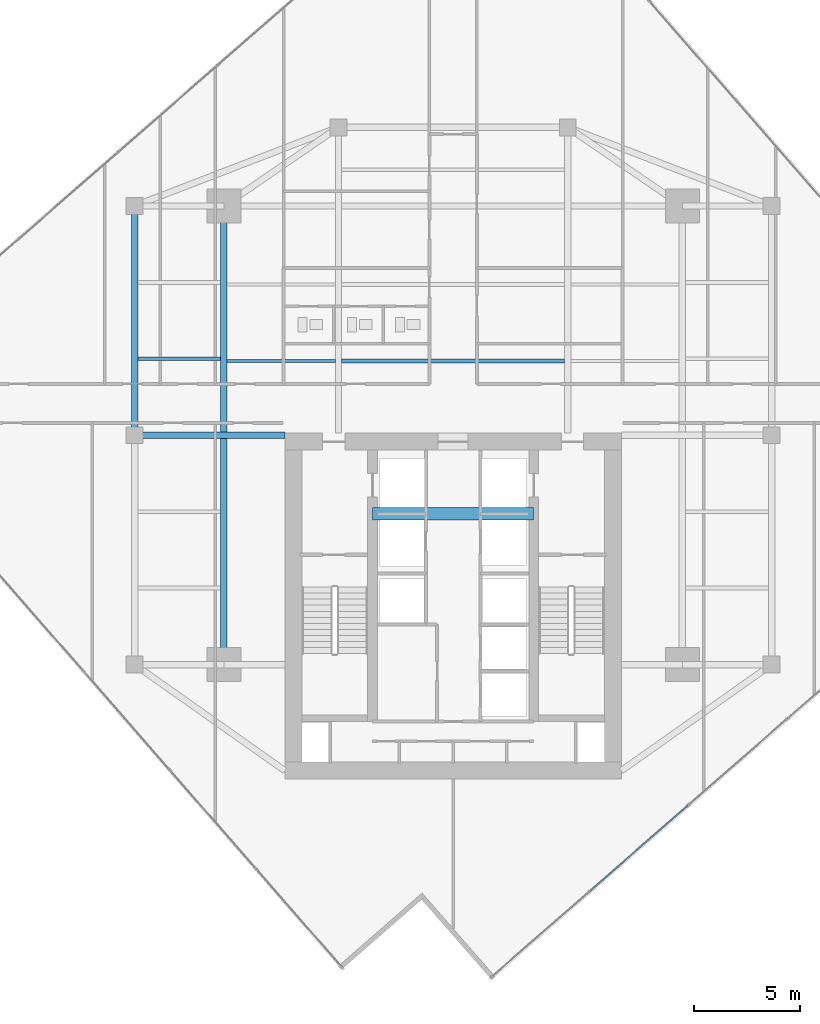
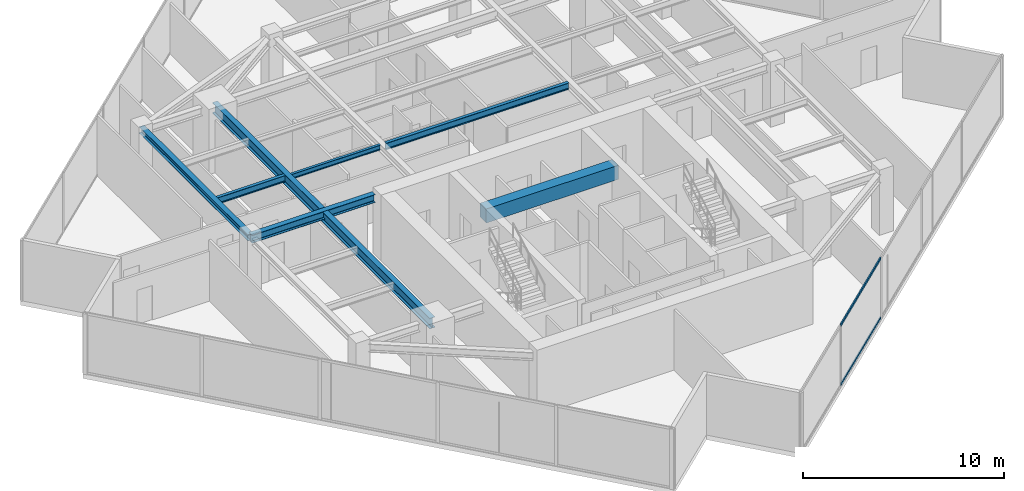
# One storey, part 8 of 24: 7 beams, 2 members, 1 element without a shape of its own.
"""IFC4 building model written with IfcOpenShell, lengths in metres."""

import ifcopenshell
import ifcopenshell.guid

model = None  # the IFC model being written
_history = None  # IfcOwnerHistory: only IFC2X3 demands one
_inside = {}  # id of a spatial element -> (the spatial element, [elements in it])
_under = {}  # id of a project, library or spatial element -> (it, [spatial elements below it])
_declared = {}  # id of a project -> (the project, [libraries it declares])
_typed = {}  # id of a type object -> (the type object, [elements of that type])
_made_of = {}  # id of a material, layer set ... -> (it, [elements and type objects made of it])


def new_model(schema):
    """Start an empty IFC model of exactly this schema.

    Asked for "IFC4X3", IfcOpenShell would pick the latest addendum, in which some entities
    have other attributes; the version numbers below select the first issue.
    IFC2X3 requires an IfcOwnerHistory on every rooted entity: one is made here for all.
    """
    global model, _history
    if schema == "IFC4X3":
        model = ifcopenshell.file(schema_version=(4, 3, 0, 0))
    else:
        model = ifcopenshell.file(schema=schema)
    _inside.clear()
    _under.clear()
    _declared.clear()
    _typed.clear()
    _made_of.clear()
    _history = None
    if model.schema == "IFC2X3":
        org = make("IfcOrganization", Name="unknown")
        user = make(
            "IfcPersonAndOrganization",
            ThePerson=make("IfcPerson", FamilyName="unknown"),
            TheOrganization=org,
        )
        app = make(
            "IfcApplication",
            ApplicationDeveloper=org,
            Version="unknown",
            ApplicationFullName="unknown",
            ApplicationIdentifier="unknown",
        )
        _history = make(
            "IfcOwnerHistory",
            OwningUser=user,
            OwningApplication=app,
            ChangeAction="ADDED",
            CreationDate=0,
        )
    return model


def make(cls, **values):
    """One entity of the class cls with the attributes given. An attribute that is None is left unset."""
    return model.create_entity(
        cls, **{name: value for name, value in values.items() if value is not None}
    )


def rooted(cls, **values):
    """An entity with a GlobalId (a new one), such as an element, a storey or a relation."""
    return make(cls, GlobalId=ifcopenshell.guid.new(), OwnerHistory=_history, **values)


def si_unit(unit_type, name, prefix=None):
    """IfcSIUnit, for example si_unit("LENGTHUNIT", "METRE", prefix="MILLI")."""
    return make("IfcSIUnit", UnitType=unit_type, Prefix=prefix, Name=name)


def assignment(units):
    """IfcUnitAssignment: the units of a project."""
    return None if units is None else make("IfcUnitAssignment", Units=units)


def point(xyz):
    """IfcCartesianPoint."""
    return None if xyz is None else make("IfcCartesianPoint", Coordinates=xyz)


def direction(xyz):
    """IfcDirection."""
    return None if xyz is None else make("IfcDirection", DirectionRatios=xyz)


def frame(location, z_axis=None, x_axis=None):
    """IfcAxis2Placement3D, a coordinate frame: its origin and axes. An axis left out is left unset."""
    return make(
        "IfcAxis2Placement3D",
        Location=point(location),
        Axis=direction(z_axis),
        RefDirection=direction(x_axis),
    )


def frame_2d(location, x_axis=None):
    """IfcAxis2Placement2D, a coordinate frame in the plane: its origin and x axis."""
    return make(
        "IfcAxis2Placement2D", Location=point(location), RefDirection=direction(x_axis)
    )


def origin():
    """The frame at (0, 0, 0) with its axes left unset."""
    return frame((0.0, 0.0, 0.0))


def origin_2d():
    """The frame at (0, 0) in the plane with its x axis left unset."""
    return frame_2d((0.0, 0.0))


def place(relative_to, where):
    """IfcLocalPlacement: puts the frame where relative to a parent placement (None: the world)."""
    return make(
        "IfcLocalPlacement", PlacementRelTo=relative_to, RelativePlacement=where
    )


def context(
    kind, dimensions, precision=None, world=None, true_north=None, identifier=None
):
    """IfcGeometricRepresentationContext, for example the 3D "Model" context."""
    return make(
        "IfcGeometricRepresentationContext",
        ContextIdentifier=identifier,
        ContextType=kind,
        CoordinateSpaceDimension=dimensions,
        Precision=precision,
        WorldCoordinateSystem=world,
        TrueNorth=true_north,
    )


def subcontext(parent, identifier, kind, view, scale=None):
    """IfcGeometricRepresentationSubContext, for example "Body" below "Model"."""
    return make(
        "IfcGeometricRepresentationSubContext",
        ContextIdentifier=identifier,
        ContextType=kind,
        ParentContext=parent,
        TargetScale=scale,
        TargetView=view,
    )


def project(units=None, contexts=None):
    """IfcProject with its units and contexts."""
    return rooted(
        "IfcProject",
        Name="project",
        RepresentationContexts=contexts,
        UnitsInContext=assignment(units),
    )


def spatial(cls, under=None, at=None, **own):
    """A site, building, storey or space (cls), placed at a placement, below another one or the project."""
    s = rooted(cls, ObjectPlacement=at, **own)
    if under is not None:
        _under.setdefault(under.id(), (under, []))[1].append(s)
    return s


def profile(cls, at=None, kind="AREA", **sizes):
    """A parametric profile (cls). Its sizes go by their IFC names, for example OverallWidth=200.0."""
    return make(cls, ProfileType=kind, Position=at, **sizes)


def rectangle(**sizes):
    """IfcRectangleProfileDef."""
    return profile("IfcRectangleProfileDef", **sizes)


def hollow_rectangle(**sizes):
    """IfcRectangleHollowProfileDef."""
    return profile("IfcRectangleHollowProfileDef", **sizes)


def i_section(**sizes):
    """IfcIShapeProfileDef."""
    return profile("IfcIShapeProfileDef", **sizes)


def extrude(swept, where, along, depth):
    """IfcExtrudedAreaSolid: the profile swept, set in the frame where, extruded along a direction by depth."""
    return make(
        "IfcExtrudedAreaSolid",
        SweptArea=swept,
        Position=where,
        ExtrudedDirection=direction(along),
        Depth=depth,
    )


def shape(context_of_items, identifier, shape_type, items):
    """IfcShapeRepresentation: the items that make up one representation, for example the "Body"."""
    return make(
        "IfcShapeRepresentation",
        ContextOfItems=context_of_items,
        RepresentationIdentifier=identifier,
        RepresentationType=shape_type,
        Items=items,
    )


def source(mapping_origin, context_of_items, identifier, shape_type, items):
    """IfcRepresentationMap: a shape defined once, which mapped items show again and again."""
    return make(
        "IfcRepresentationMap",
        MappingOrigin=mapping_origin,
        MappedRepresentation=shape(context_of_items, identifier, shape_type, items),
    )


def transform(
    local_origin,
    x_axis=None,
    y_axis=None,
    z_axis=None,
    scale=None,
    scale2=None,
    scale3=None,
    uniform=True,
):
    """IfcCartesianTransformationOperator3D, or its non-uniform kind. x_axis, y_axis, z_axis: its Axis1, 2, 3."""
    if uniform:
        return make(
            "IfcCartesianTransformationOperator3D",
            Axis1=direction(x_axis),
            Axis2=direction(y_axis),
            LocalOrigin=point(local_origin),
            Scale=scale,
            Axis3=direction(z_axis),
        )
    return make(
        "IfcCartesianTransformationOperator3DnonUniform",
        Axis1=direction(x_axis),
        Axis2=direction(y_axis),
        LocalOrigin=point(local_origin),
        Scale=scale,
        Axis3=direction(z_axis),
        Scale2=scale2,
        Scale3=scale3,
    )


def mapped(mapping_source, mapping_target):
    """IfcMappedItem: shows the shape of a source again, moved by a transform."""
    return make(
        "IfcMappedItem", MappingSource=mapping_source, MappingTarget=mapping_target
    )


def material(Name=None, Category=None):
    """IfcMaterial."""
    return make("IfcMaterial", Name=Name, Category=Category)


def material_profile(
    of_material, cross_section, Name=None, Category=None, Priority=None
):
    """IfcMaterialProfile: a cross section and its material."""
    return make(
        "IfcMaterialProfile",
        Name=Name,
        Material=of_material,
        Profile=cross_section,
        Priority=Priority,
        Category=Category,
    )


def profile_set(profiles, Name=None, composite=None):
    """IfcMaterialProfileSet."""
    return make(
        "IfcMaterialProfileSet",
        Name=Name,
        MaterialProfiles=profiles,
        CompositeProfile=composite,
    )


def made_of(thing, what):
    """Note that an element or type object is made of a material, layer set ...; save() writes the relation."""
    if what is not None:
        _made_of.setdefault(what.id(), (what, []))[1].append(thing)
    return thing


def type_object(cls, material=None, **own):
    """A type object (cls), such as IfcWallType, which elements share."""
    return made_of(rooted(cls, **own), material)


def type_shapes(of_type, sources):
    """Give a type object the sources (RepresentationMaps) that its elements show as mapped items."""
    of_type.RepresentationMaps = sources


def element(
    cls,
    number,
    at=None,
    inside=None,
    cuts=None,
    type_object=None,
    material=None,
    context=None,
    identifier="Body",
    shape_type=None,
    held_by="IfcProductDefinitionShape",
    body=None,
    shapes=None,
    **own,
):
    """One element of the class cls, such as IfcWall. Its Tag is "e" and its number.

    at: its placement. inside: the storey or other place that contains it. cuts: it is an
    opening in that element (IfcRelVoidsElement). A single representation is given by context,
    identifier, shape_type and body (its items); several are given by shapes. held_by: the class
    of the entity that holds the representations. save() writes the other relations.
    """
    e = rooted(cls, Tag="e%d" % number, ObjectPlacement=at, **own)
    if body is not None:
        shapes = [shape(context, identifier, shape_type, body)]
    if shapes is not None:
        e.Representation = make(held_by, Representations=shapes)
    if inside is not None:
        _inside.setdefault(inside.id(), (inside, []))[1].append(e)
    if cuts is not None:
        rooted(
            "IfcRelVoidsElement", RelatingBuildingElement=cuts, RelatedOpeningElement=e
        )
    if type_object is not None:
        _typed.setdefault(type_object.id(), (type_object, []))[1].append(e)
    return made_of(e, material)


def aggregate(whole, parts):
    """IfcRelAggregates: a whole, such as a stair, and the parts it consists of."""
    return rooted("IfcRelAggregates", RelatingObject=whole, RelatedObjects=parts)


def save(model, path):
    """Write the relations noted so far, then the file.

    IfcRelAggregates (storeys below a building ...), IfcRelContainedInSpatialStructure (elements
    in a storey), IfcRelDefinesByType, IfcRelAssociatesMaterial and IfcRelDeclares: one each for
    every whole, place, type object, material and project.
    """
    for whole, parts in _under.values():
        aggregate(whole, parts)
    for where, things in _inside.values():
        rooted(
            "IfcRelContainedInSpatialStructure",
            RelatedElements=things,
            RelatingStructure=where,
        )
    for kind, things in _typed.values():
        rooted("IfcRelDefinesByType", RelatedObjects=things, RelatingType=kind)
    for what, things in _made_of.values():
        rooted("IfcRelAssociatesMaterial", RelatedObjects=things, RelatingMaterial=what)
    for by, libraries in _declared.values():
        rooted("IfcRelDeclares", RelatingContext=by, RelatedDefinitions=libraries)
    model.write(path)


model = new_model("IFC4")

# Units and contexts
model_context = context("Model", 3, precision=1e-05, world=origin(), true_north=direction((0.0, 1.0)))
body_context = subcontext(model_context, "Body", "Model", "MODEL_VIEW")
ifc_project = project(units=[si_unit("LENGTHUNIT", "METRE"), si_unit("AREAUNIT", "SQUARE_METRE"), si_unit("VOLUMEUNIT", "CUBIC_METRE"), si_unit("PLANEANGLEUNIT", "RADIAN"), si_unit("MASSUNIT", "GRAM", prefix="KILO")], contexts=[model_context])

# Site, building, storey
site_placement = place(None, origin())
site = spatial("IfcSite", under=ifc_project, at=site_placement, CompositionType="ELEMENT")
building_placement = place(site_placement, origin())
building = spatial("IfcBuilding", under=site, at=building_placement, Name="Krantzveldt Concourse Tower", CompositionType="ELEMENT")
storey_placement = place(building_placement, frame((0.0, 0.0, 250.75)))
storey = spatial("IfcBuildingStorey", under=building, at=storey_placement, Name="L61", CompositionType="ELEMENT", Elevation=250.75)

# Beams
ifc_material_1 = material(Name="Steel S355JR", Category="steel")
ifc_material_profile_1 = material_profile(ifc_material_1, i_section(OverallWidth=0.300048828125, OverallDepth=0.639892578125, WebThickness=0.013427734375, FlangeThickness=0.02587890625, FilletRadius=0.027099609375, at=origin_2d()), Name="Steel S355JR", Category="steel")
ifc_profile_set_1 = profile_set([ifc_material_profile_1], Name="Steel S355JR - HEA 650")
beam_type_1 = type_object("IfcBeamType", Name="BM-B-HEA650", PredefinedType="BEAM", material=ifc_profile_set_1)
shared_shape_1 = source(origin(), body_context, "Body", "SweptSolid", [
    extrude(i_section(OverallWidth=0.300048828125, OverallDepth=0.639892578125, WebThickness=0.013427734375, FlangeThickness=0.02587890625, FilletRadius=0.027099609375, at=origin_2d()), origin(), (0.0, 0.0, 1.0), 21.60009765625),
])
type_shapes(beam_type_1, [shared_shape_1])
beam_1_placement = place(storey_placement, frame((25.199951171875, 15.89990234375, 3.35009765625), z_axis=(0.0, 1.0, 0.0), x_axis=(-1.0, 0.0, 0.0)))
element("IfcBeam", 1, at=beam_1_placement, inside=storey, type_object=beam_type_1, Name="L61 Tower Girder BG-MW", PredefinedType="BEAM", context=body_context, shape_type="MappedRepresentation", body=[
    mapped(shared_shape_1, transform((0.0, 0.0, 0.0), x_axis=(1.0, 0.0, 0.0), y_axis=(0.0, 1.0, 0.0), z_axis=(0.0, 0.0, 1.0), scale=1.0)),
])
ifc_material_profile_2 = material_profile(ifc_material_1, i_section(OverallWidth=0.179931640625, OverallDepth=0.39990234375, WebThickness=0.008544921875, FlangeThickness=0.013427734375, FilletRadius=0.02099609375, at=origin_2d()), Name="Steel S355JR", Category="steel")
ifc_profile_set_2 = profile_set([ifc_material_profile_2], Name="Steel S355JR - IPE 400")
beam_type_2 = type_object("IfcBeamType", Name="BM-J-IPE400", PredefinedType="JOIST", material=ifc_profile_set_2)
shared_shape_2 = source(origin(), body_context, "Body", "SweptSolid", [
    extrude(i_section(OverallWidth=0.179931640625, OverallDepth=0.39990234375, WebThickness=0.008544921875, FlangeThickness=0.013427734375, FilletRadius=0.02099609375, at=origin_2d()), origin(), (0.0, 0.0, 1.0), 10.5),
])
beam_2_placement = place(storey_placement, frame((30.75, 30.199951171875, 3.469970703125), z_axis=(1.0, 0.0, 0.0), x_axis=(0.0, 1.0, 0.0)))
element("IfcBeam", 2, at=beam_2_placement, inside=storey, type_object=beam_type_2, Name="L61 Secondary Floor Joist JN-C1", PredefinedType="JOIST", context=body_context, shape_type="MappedRepresentation", body=[
    mapped(shared_shape_2, transform((0.0, 0.0, 0.0), x_axis=(1.0, 0.0, 0.0), y_axis=(0.0, 1.0, 0.0), z_axis=(0.0, 0.0, 1.0), scale=1.0)),
])
ifc_material_profile_3 = material_profile(ifc_material_1, i_section(OverallWidth=0.300048828125, OverallDepth=0.389892578125, WebThickness=0.010986328125, FlangeThickness=0.01904296875, FilletRadius=0.027099609375, at=origin_2d()), Name="Steel S355JR", Category="steel")
ifc_profile_set_3 = profile_set([ifc_material_profile_3], Name="Steel S355JR - HEA 400")
beam_type_3 = type_object("IfcBeamType", Name="BM-SP-HEA400", PredefinedType="SPANDREL", material=ifc_profile_set_3)
shared_shape_3 = source(origin(), body_context, "Body", "SweptSolid", [
    extrude(i_section(OverallWidth=0.300048828125, OverallDepth=0.389892578125, WebThickness=0.010986328125, FlangeThickness=0.01904296875, FilletRadius=0.027099609375, at=origin_2d()), origin(), (0.0, 0.0, 1.0), 10.800048828125),
])
type_shapes(beam_type_3, [shared_shape_3])
beam_3_placement = place(storey_placement, frame((21.0, 26.699951171875, 3.47509765625), z_axis=(0.0, 1.0, 0.0), x_axis=(-1.0, 0.0, 0.0)))
element("IfcBeam", 3, at=beam_3_placement, inside=storey, type_object=beam_type_3, Name="L61 Tower Girder SP-R02", PredefinedType="SPANDREL", context=body_context, shape_type="MappedRepresentation", body=[
    mapped(shared_shape_3, transform((0.0, 0.0, 0.0), x_axis=(1.0, 0.0, 0.0), y_axis=(0.0, 1.0, 0.0), z_axis=(0.0, 0.0, 1.0), scale=1.0)),
])
ifc_material_profile_4 = material_profile(ifc_material_1, i_section(OverallWidth=0.300048828125, OverallDepth=0.489990234375, WebThickness=0.011962890625, FlangeThickness=0.02294921875, FilletRadius=0.027099609375, at=origin_2d()), Name="Steel S355JR", Category="steel")
ifc_profile_set_4 = profile_set([ifc_material_profile_4], Name="Steel S355JR - HEA 500")
beam_type_4 = type_object("IfcBeamType", Name="BM-B-HEA500", PredefinedType="BEAM", material=ifc_profile_set_4)
shared_shape_4 = source(origin(), body_context, "Body", "SweptSolid", [
    extrude(i_section(OverallWidth=0.300048828125, OverallDepth=0.489990234375, WebThickness=0.011962890625, FlangeThickness=0.02294921875, FilletRadius=0.027099609375, at=origin_2d()), origin(), (0.0, 0.0, 1.0), 7.080078125),
])
type_shapes(beam_type_4, [shared_shape_4])
beam_4_placement = place(storey_placement, frame((21.0, 26.699951171875, 3.425048828125), z_axis=(1.0, 0.0, 0.0), x_axis=(0.0, 1.0, 0.0)))
element("IfcBeam", 4, at=beam_4_placement, inside=storey, type_object=beam_type_4, Name="L61 Tower Girder BG-CW2", PredefinedType="BEAM", context=body_context, shape_type="MappedRepresentation", body=[
    mapped(shared_shape_4, transform((0.0, 0.0, 0.0), x_axis=(1.0, 0.0, 0.0), y_axis=(0.0, 1.0, 0.0), z_axis=(0.0, 0.0, 1.0), scale=1.0)),
])
ifc_material_profile_5 = material_profile(ifc_material_1, i_section(OverallWidth=0.14990234375, OverallDepth=0.300048828125, WebThickness=0.007080078125, FlangeThickness=0.0107421875, FilletRadius=0.014892578125, at=origin_2d()), Name="Steel S355JR", Category="steel")
ifc_profile_set_5 = profile_set([ifc_material_profile_5], Name="Steel S355JR - IPE 300")
beam_type_5 = type_object("IfcBeamType", Name="BM-J-IPE300", PredefinedType="JOIST", material=ifc_profile_set_5)
shared_shape_5 = source(origin(), body_context, "Body", "SweptSolid", [
    extrude(i_section(OverallWidth=0.14990234375, OverallDepth=0.300048828125, WebThickness=0.007080078125, FlangeThickness=0.0107421875, FilletRadius=0.014892578125, at=origin_2d()), origin(), (0.0, 0.0, 1.0), 5.099853515625),
])
type_shapes(beam_type_5, [shared_shape_5])
beam_5_placement = place(storey_placement, frame((25.35009765625, 30.199951171875, 3.52001953125), z_axis=(1.0, 0.0, 0.0), x_axis=(0.0, 1.0, 0.0)))
element("IfcBeam", 5, at=beam_5_placement, inside=storey, type_object=beam_type_5, Name="L61 Secondary Floor Joist JN-W1", PredefinedType="JOIST", context=body_context, shape_type="MappedRepresentation", body=[
    mapped(shared_shape_5, transform((0.0, 0.0, 0.0), x_axis=(1.0, 0.0, 0.0), y_axis=(0.0, 1.0, 0.0), z_axis=(0.0, 0.0, 1.0), scale=1.0)),
])
shared_shape_6 = source(origin(), body_context, "Body", "SweptSolid", [
    extrude(i_section(OverallWidth=0.179931640625, OverallDepth=0.39990234375, WebThickness=0.008544921875, FlangeThickness=0.013427734375, FilletRadius=0.02099609375, at=origin_2d()), origin(), (0.0, 0.0, 1.0), 3.900146484375),
])
type_shapes(beam_type_2, [shared_shape_2, shared_shape_6])
beam_6_placement = place(storey_placement, frame((21.14990234375, 30.300048828125, 3.469970703125), z_axis=(1.0, 0.0, 0.0), x_axis=(0.0, 1.0, 0.0)))
element("IfcBeam", 6, at=beam_6_placement, inside=storey, type_object=beam_type_2, Name="L61 Secondary Floor Joist JW-3", PredefinedType="JOIST", context=body_context, shape_type="MappedRepresentation", body=[
    mapped(shared_shape_6, transform((0.0, 0.0, 0.0), x_axis=(1.0, 0.0, 0.0), y_axis=(0.0, 1.0, 0.0), z_axis=(0.0, 0.0, 1.0), scale=1.0)),
])
ifc_material_2 = material(Name="Concrete C50/60", Category="concrete")
ifc_material_profile_6 = material_profile(ifc_material_2, rectangle(XDim=0.60009765625, YDim=0.85009765625, at=origin_2d()), Name="Concrete C50/60", Category="concrete")
ifc_profile_set_6 = profile_set([ifc_material_profile_6], Name="Concrete C50/60 - RC-CB 600x850")
beam_type_6 = type_object("IfcBeamType", Name="BM-CB-850", PredefinedType="LINTEL", material=ifc_profile_set_6)
shared_shape_7 = source(origin(), body_context, "Body", "SweptSolid", [
    extrude(rectangle(XDim=0.60009765625, YDim=0.85009765625, at=origin_2d()), origin(), (0.0, 0.0, 1.0), 7.580078125),
])
type_shapes(beam_type_6, [shared_shape_7])
beam_7_placement = place(storey_placement, frame((32.2099609375, 23.0, 3.2451171875), z_axis=(1.0, 0.0, 0.0), x_axis=(0.0, 1.0, 0.0)))
element("IfcBeam", 7, at=beam_7_placement, inside=storey, type_object=beam_type_6, Name="CB-L61-01", PredefinedType="LINTEL", context=body_context, shape_type="MappedRepresentation", body=[
    mapped(shared_shape_7, transform((0.0, 0.0, 0.0), x_axis=(1.0, 0.0, 0.0), y_axis=(0.0, 1.0, 0.0), z_axis=(0.0, 0.0, 1.0), scale=1.0)),
])

# Curtain wall, members
ifc_material_3 = material(Name="Anodised aluminium 6063-T6", Category="aluminium")
curtain_wall_type = type_object("IfcCurtainWallType", Name="CW3", PredefinedType="USERDEFINED", material=ifc_material_3)
curtain_wall_placement = place(storey_placement, origin())
curtain_wall = element("IfcCurtainWall", 8, at=curtain_wall_placement, inside=storey, type_object=curtain_wall_type, Name="CW-L61-F07", ObjectType="UNITISED CURTAIN WALL", PredefinedType="USERDEFINED")
ifc_material_profile_7 = material_profile(ifc_material_3, hollow_rectangle(XDim=0.070068359375, YDim=0.139892578125, WallThickness=0.0048828125, at=origin_2d()), Name="Anodised aluminium 6063-T6", Category="aluminium")
ifc_profile_set_7 = profile_set([ifc_material_profile_7], Name="Anodised aluminium 6063-T6 - ALU-TRAN 140x70x5")
member_type = type_object("IfcMemberType", Name="CW-TRN-150", PredefinedType="USERDEFINED", material=ifc_profile_set_7)
shared_shape_8 = source(origin(), body_context, "Body", "SweptSolid", [
    extrude(hollow_rectangle(XDim=0.070068359375, YDim=0.139892578125, WallThickness=0.0048828125, at=origin_2d()), origin(), (0.0, 0.0, 1.0), 6.130126953125),
])
type_shapes(member_type, [shared_shape_8])
member_1_placement = place(storey_placement, frame((42.444580078125, 5.23193359375, 0.034912109375), z_axis=(0.753281864593, 0.657697827635, 0.0), x_axis=(-0.657697827635, 0.753281864593, 0.0)))
member_1 = element("IfcMember", 9, at=member_1_placement, type_object=member_type, Name="CW-Z34 transom 2.1", ObjectType="TRANSOM", PredefinedType="USERDEFINED", context=body_context, shape_type="MappedRepresentation", body=[
    mapped(shared_shape_8, transform((0.0, 0.0, 0.0), x_axis=(1.0, 0.0, 0.0), y_axis=(0.0, 1.0, 0.0), z_axis=(0.0, 0.0, 1.0), scale=1.0)),
])
member_2_placement = place(storey_placement, frame((42.444580078125, 5.23193359375, 3.635009765625), z_axis=(0.753281864593, 0.657697827635, 0.0), x_axis=(-0.657697827635, 0.753281864593, 0.0)))
member_2 = element("IfcMember", 10, at=member_2_placement, type_object=member_type, Name="CW-Z34 transom 2.2", ObjectType="TRANSOM", PredefinedType="USERDEFINED", context=body_context, shape_type="MappedRepresentation", body=[
    mapped(shared_shape_8, transform((0.0, 0.0, 0.0), x_axis=(1.0, 0.0, 0.0), y_axis=(0.0, 1.0, 0.0), z_axis=(0.0, 0.0, 1.0), scale=1.0)),
])
aggregate(curtain_wall, [member_1, member_2])

save(model, "model.ifc")
